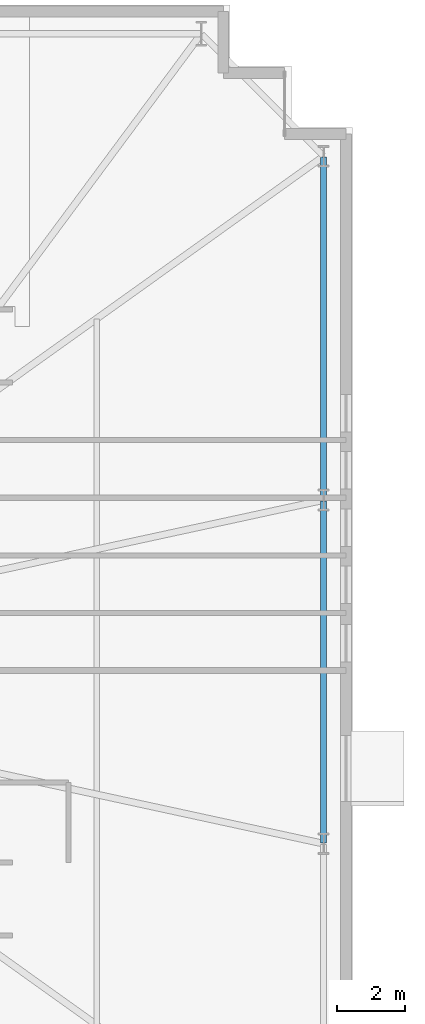
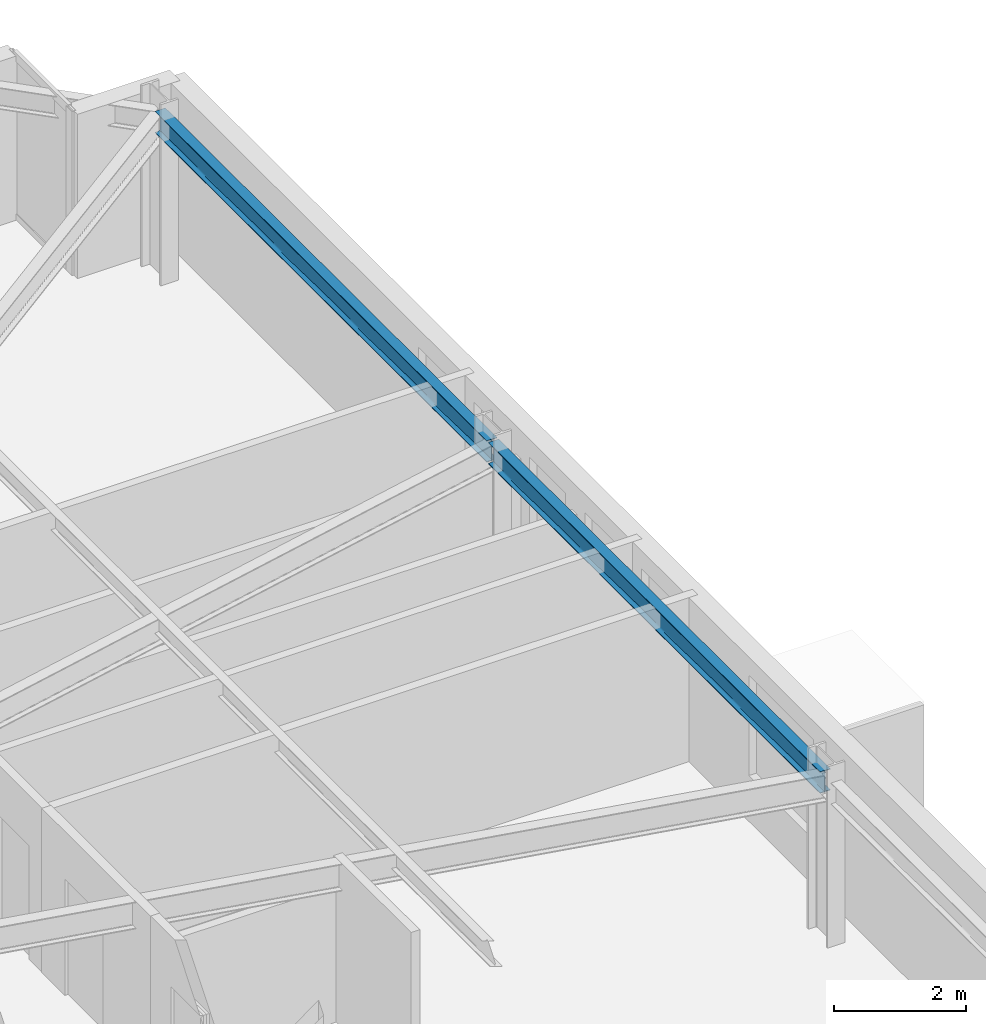
# One storey, part 11 of 22: 2 beams.
"""IFC4 building model written with IfcOpenShell, lengths in metres."""

from ifc_helpers import new_model, si_unit, direction, frame, origin, origin_2d, place, context, subcontext, project, spatial, i_section, extrude, material, material_profile, profile_set, type_object, element, save


model = new_model("IFC4")

# Units and contexts
model_context = context("Model", 3, precision=1e-05, world=origin(), true_north=direction((0.0, 1.0)))
body_context = subcontext(model_context, "Body", "Model", "MODEL_VIEW")
ifc_project = project(units=[si_unit("LENGTHUNIT", "METRE"), si_unit("AREAUNIT", "SQUARE_METRE"), si_unit("VOLUMEUNIT", "CUBIC_METRE"), si_unit("PLANEANGLEUNIT", "RADIAN"), si_unit("MASSUNIT", "GRAM", prefix="KILO")], contexts=[model_context])

# Site, building, storey
site_placement = place(None, origin())
site = spatial("IfcSite", under=ifc_project, at=site_placement, CompositionType="ELEMENT")
building_placement = place(site_placement, origin())
building = spatial("IfcBuilding", under=site, at=building_placement, Name="Qobustan Lattice House", CompositionType="ELEMENT")
storey_placement = place(building_placement, frame((0.0, 0.0, 60.5)))
storey = spatial("IfcBuildingStorey", under=building, at=storey_placement, Name="L16", CompositionType="ELEMENT", Elevation=60.5)

# Beams
ifc_material = material(Name="Steel S355", Category="steel")
ifc_material_profile = material_profile(ifc_material, i_section(OverallWidth=0.179931640625, OverallDepth=0.39990234375, WebThickness=0.008544921875, FlangeThickness=0.013427734375, FilletRadius=0.02099609375, at=origin_2d()), Name="IPE400")
ifc_profile_set = profile_set([ifc_material_profile], Name="Steel S355")
beam_type = type_object("IfcBeamType", Name="BM-SPD-IPE400", PredefinedType="SPANDREL", material=ifc_profile_set)
beam_1_placement = place(storey_placement, frame((32.14990234375, -5.02490234375, 2.8349609375), z_axis=(0.0, 1.0, 0.0), x_axis=(-1.0, 0.0, 0.0)))
element("IfcBeam", 1, at=beam_1_placement, inside=storey, type_object=beam_type, Name="L16 perimeter spandrel E2-E3", PredefinedType="SPANDREL", context=body_context, shape_type="SweptSolid", body=[
    extrude(i_section(OverallWidth=0.179931640625, OverallDepth=0.39990234375, WebThickness=0.008544921875, FlangeThickness=0.013427734375, FilletRadius=0.02099609375, at=origin_2d()), origin(), (0.0, 0.0, 1.0), 10.0498046875),
])
beam_2_placement = place(storey_placement, frame((32.14990234375, 5.074951171875, 2.8349609375), z_axis=(0.0, 1.0, 0.0), x_axis=(-1.0, 0.0, 0.0)))
element("IfcBeam", 2, at=beam_2_placement, inside=storey, type_object=beam_type, Name="L16 perimeter spandrel E3-E4", PredefinedType="SPANDREL", context=body_context, shape_type="SweptSolid", body=[
    extrude(i_section(OverallWidth=0.179931640625, OverallDepth=0.39990234375, WebThickness=0.008544921875, FlangeThickness=0.013427734375, FilletRadius=0.02099609375, at=origin_2d()), origin(), (0.0, 0.0, 1.0), 10.050048828125),
])

save(model, "model.ifc")
